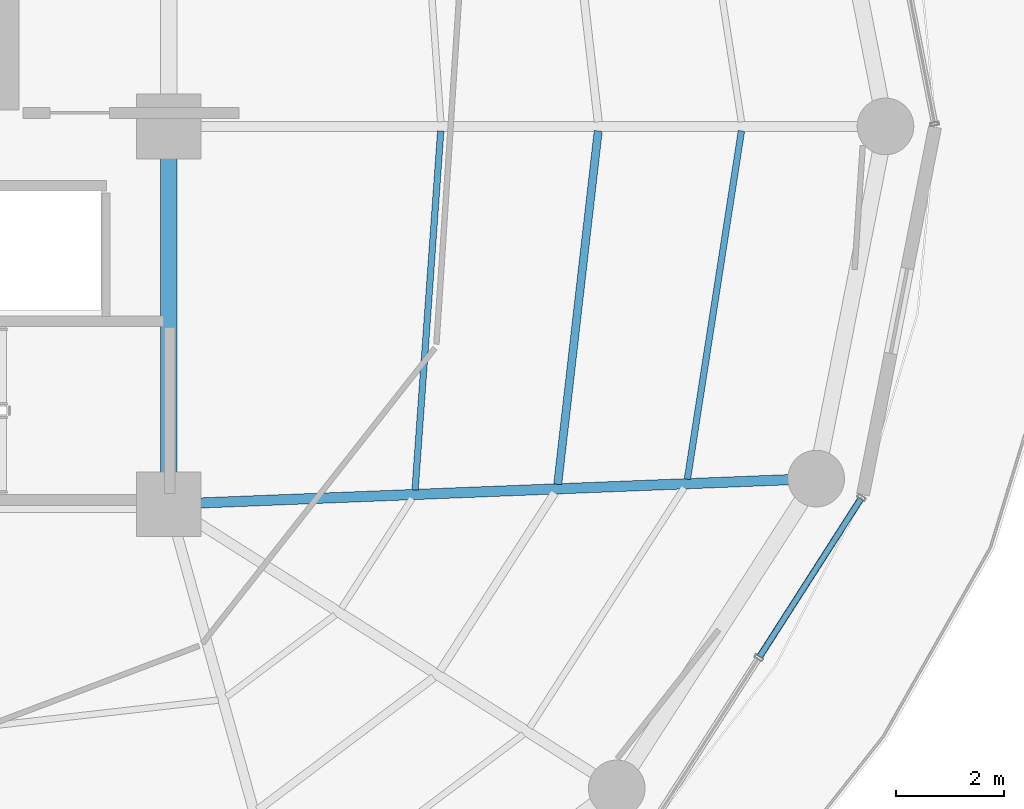
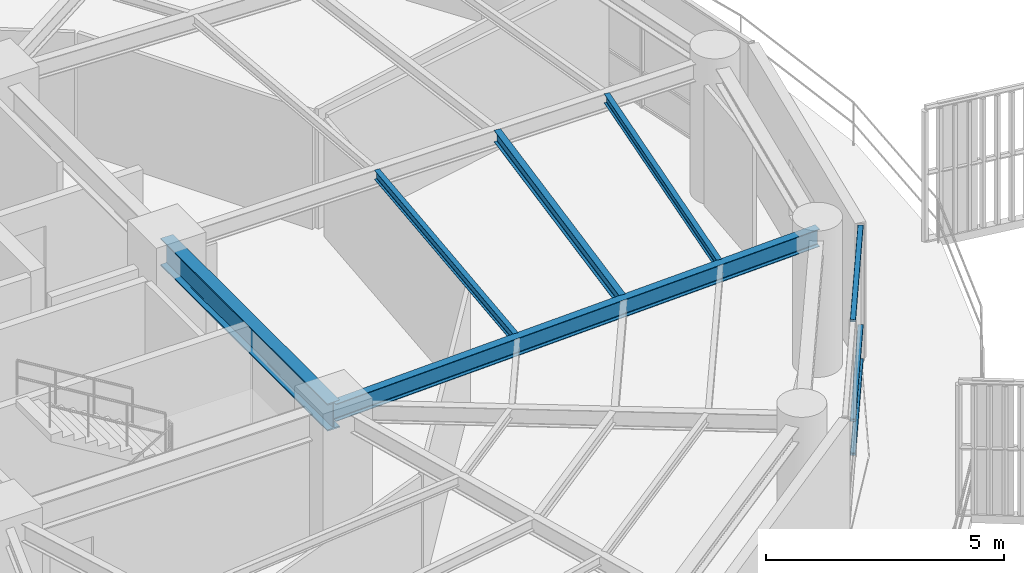
# One storey, part 12 of 31: 5 beams, 3 members, 1 element without a shape of its own.
"""IFC4 building model written with IfcOpenShell, lengths in metres."""

from ifc_helpers import new_model, si_unit, direction, frame, origin, origin_2d, place, context, subcontext, project, spatial, hollow_rectangle, i_section, extrude, material, layer, layer_set, material_profile, profile_set, type_object, element, aggregate, save


model = new_model("IFC4")

# Units and contexts
model_context = context("Model", 3, precision=1e-05, world=origin(), true_north=direction((0.0, 1.0)))
body_context = subcontext(model_context, "Body", "Model", "MODEL_VIEW")
ifc_project = project(units=[si_unit("LENGTHUNIT", "METRE"), si_unit("AREAUNIT", "SQUARE_METRE"), si_unit("VOLUMEUNIT", "CUBIC_METRE"), si_unit("PLANEANGLEUNIT", "RADIAN"), si_unit("MASSUNIT", "GRAM", prefix="KILO")], contexts=[model_context])

# Site, building, storey
site_placement = place(None, origin())
site = spatial("IfcSite", under=ifc_project, at=site_placement, CompositionType="ELEMENT")
building_placement = place(site_placement, origin())
building = spatial("IfcBuilding", under=site, at=building_placement, Name="Kelanora Arch Commons", CompositionType="ELEMENT")
storey_placement = place(building_placement, frame((0.0, 0.0, 196.949951171875)))
storey = spatial("IfcBuildingStorey", under=building, at=storey_placement, Name="L50", CompositionType="ELEMENT", Elevation=196.949951171875)

# Beams
ifc_material_1 = material(Name="Steel S355", Category="steel")
ifc_material_profile_1 = material_profile(ifc_material_1, i_section(OverallWidth=0.300048828125, OverallDepth=0.699951171875, WebThickness=0.01708984375, FlangeThickness=0.031982421875, FilletRadius=0.027099609375, at=origin_2d()), Name="HEB700")
ifc_profile_set_1 = profile_set([ifc_material_profile_1], Name="Steel S355")
beam_type_1 = type_object("IfcBeamType", Name="BM-CORE-HDR", PredefinedType="BEAM", material=ifc_profile_set_1)
beam_1_placement = place(storey_placement, frame((82.0, 51.0, 3.14013671875), z_axis=(0.0, 1.0, 0.0), x_axis=(-1.0, 0.0, 0.0)))
element("IfcBeam", 1, at=beam_1_placement, inside=storey, type_object=beam_type_1, Name="Core Header Beam 03 L50", PredefinedType="BEAM", context=body_context, shape_type="SweptSolid", body=[
    extrude(i_section(OverallWidth=0.300048828125, OverallDepth=0.699951171875, WebThickness=0.01708984375, FlangeThickness=0.031982421875, FilletRadius=0.027099609375, at=origin_2d()), origin(), (0.0, 0.0, 1.0), 7.0),
])
ifc_material_profile_2 = material_profile(ifc_material_1, i_section(OverallWidth=0.14990234375, OverallDepth=0.300048828125, WebThickness=0.007080078125, FlangeThickness=0.0107421875, FilletRadius=0.014892578125, at=origin_2d()), Name="IPE300")
ifc_profile_set_2 = profile_set([ifc_material_profile_2], Name="Steel S355")
beam_type_2 = type_object("IfcBeamType", Name="BM-JST-01", PredefinedType="JOIST", material=ifc_profile_set_2)
beam_2_placement = place(storey_placement, frame((89.207763671875, 51.368896484375, 3.340087890625), z_axis=(0.113891408177, 0.993493204377, 0.0), x_axis=(-0.993493204377, 0.113891408177, 0.0)))
element("IfcBeam", 2, at=beam_2_placement, inside=storey, type_object=beam_type_2, Name="Secondary Chord Joist BJB-34 L50", PredefinedType="JOIST", context=body_context, shape_type="SweptSolid", body=[
    extrude(i_section(OverallWidth=0.14990234375, OverallDepth=0.300048828125, WebThickness=0.007080078125, FlangeThickness=0.0107421875, FilletRadius=0.014892578125, at=origin_2d()), origin(), (0.0, 0.0, 1.0), 6.589599609375),
])
ifc_material_profile_3 = material_profile(ifc_material_1, i_section(OverallWidth=0.1201171875, OverallDepth=0.239990234375, WebThickness=0.006103515625, FlangeThickness=0.009765625, FilletRadius=0.014892578125, at=origin_2d()), Name="IPE240")
ifc_profile_set_3 = profile_set([ifc_material_profile_3], Name="Steel S355")
beam_type_3 = type_object("IfcBeamType", Name="BM-JST-02", PredefinedType="JOIST", material=ifc_profile_set_3)
beam_3_placement = place(storey_placement, frame((86.564697265625, 51.264892578125, 3.3701171875), z_axis=(0.07133032136, 0.997452748382, 0.0), x_axis=(-0.997452748382, 0.07133032136, 0.0)))
element("IfcBeam", 3, at=beam_3_placement, inside=storey, type_object=beam_type_3, Name="Secondary Chord Joist BJA-34 L50", PredefinedType="JOIST", context=body_context, shape_type="SweptSolid", body=[
    extrude(i_section(OverallWidth=0.1201171875, OverallDepth=0.239990234375, WebThickness=0.006103515625, FlangeThickness=0.009765625, FilletRadius=0.014892578125, at=origin_2d()), origin(), (0.0, 0.0, 1.0), 6.66748046875),
])
beam_4_placement = place(storey_placement, frame((91.6103515625, 51.46337890625, 3.3701171875), z_axis=(0.153256756152, 0.988186402808, 0.0), x_axis=(-0.988186402808, 0.153256756152, 0.0)))
element("IfcBeam", 4, at=beam_4_placement, inside=storey, type_object=beam_type_3, Name="Secondary Chord Joist BJC-34 L50", PredefinedType="JOIST", context=body_context, shape_type="SweptSolid", body=[
    extrude(i_section(OverallWidth=0.1201171875, OverallDepth=0.239990234375, WebThickness=0.006103515625, FlangeThickness=0.009765625, FilletRadius=0.014892578125, at=origin_2d()), origin(), (0.0, 0.0, 1.0), 6.52978515625),
])
ifc_material_profile_4 = material_profile(ifc_material_1, i_section(OverallWidth=0.18994140625, OverallDepth=0.449951171875, WebThickness=0.009521484375, FlangeThickness=0.0146484375, FilletRadius=0.02099609375, at=origin_2d()), Name="IPE450")
ifc_profile_set_4 = profile_set([ifc_material_profile_4], Name="Steel S355")
beam_type_4 = type_object("IfcBeamType", Name="BM-RAD-Z4", PredefinedType="BEAM", material=ifc_profile_set_4)
beam_5_placement = place(storey_placement, frame((82.0, 51.0, 3.26513671875), z_axis=(0.999219142585, 0.03951082246, 0.0), x_axis=(-0.03951082246, 0.999219142585, 0.0)))
element("IfcBeam", 5, at=beam_5_placement, inside=storey, type_object=beam_type_4, Name="Radial Floor Girder BR-34 L50", PredefinedType="BEAM", context=body_context, shape_type="SweptSolid", body=[
    extrude(i_section(OverallWidth=0.18994140625, OverallDepth=0.449951171875, WebThickness=0.009521484375, FlangeThickness=0.0146484375, FilletRadius=0.02099609375, at=origin_2d()), origin(), (0.0, 0.0, 1.0), 12.005859375),
])

# Curtain wall, members
ifc_material_2 = material(Name="Terracotta ceramic-fritted low-E glass and aluminium", Category="masonry")
ifc_layer = layer(ifc_material_2, 0.175048828125)
ifc_layer_set = layer_set([ifc_layer], Name="Terracotta ceramic-fritted low-E glass and aluminium")
curtain_wall_type = type_object("IfcCurtainWallType", Name="CW-SYS-02", PredefinedType="NOTDEFINED", material=ifc_layer_set)
curtain_wall_placement = place(storey_placement, origin())
curtain_wall = element("IfcCurtainWall", 6, at=curtain_wall_placement, inside=storey, type_object=curtain_wall_type, Name="Unitised Curtain Wall L50-B16", PredefinedType="NOTDEFINED")
ifc_material_3 = material(Name="Powder-coated aluminium terracotta", Category="masonry")
ifc_material_profile_5 = material_profile(ifc_material_3, hollow_rectangle(XDim=0.1201171875, YDim=0.06005859375, WallThickness=0.0048828125, InnerFilletRadius=0.0048828125, OuterFilletRadius=0.010009765625, at=origin_2d()), Name="CWT120x60")
ifc_profile_set_5 = profile_set([ifc_material_profile_5], Name="Powder-coated aluminium terracotta")
member_type = type_object("IfcMemberType", Name="CWT-STD", PredefinedType="USERDEFINED", material=ifc_profile_set_5)
member_1_placement = place(storey_placement, frame((92.949951171875, 48.17724609375, 0.030029296875), z_axis=(0.539579095642, 0.84193491408, 0.0), x_axis=(-0.84193491408, 0.539579095642, 0.0)))
member_1 = element("IfcMember", 7, at=member_1_placement, type_object=member_type, Name="CW-02 transom 2.1", ObjectType="TRANSOM", PredefinedType="USERDEFINED", context=body_context, shape_type="SweptSolid", body=[
    extrude(hollow_rectangle(XDim=0.1201171875, YDim=0.06005859375, WallThickness=0.0048828125, InnerFilletRadius=0.0048828125, OuterFilletRadius=0.010009765625, at=origin_2d()), origin(), (0.0, 0.0, 1.0), 3.46728515625),
])
member_2_placement = place(storey_placement, frame((92.949951171875, 48.17724609375, 0.900146484375), z_axis=(0.539579095642, 0.84193491408, 0.0), x_axis=(-0.84193491408, 0.539579095642, 0.0)))
member_2 = element("IfcMember", 8, at=member_2_placement, type_object=member_type, Name="CW-02 transom 2.2", ObjectType="TRANSOM", PredefinedType="USERDEFINED", context=body_context, shape_type="SweptSolid", body=[
    extrude(hollow_rectangle(XDim=0.1201171875, YDim=0.06005859375, WallThickness=0.0048828125, InnerFilletRadius=0.0048828125, OuterFilletRadius=0.010009765625, at=origin_2d()), origin(), (0.0, 0.0, 1.0), 3.46728515625),
])
member_3_placement = place(storey_placement, frame((92.949951171875, 48.17724609375, 3.445068359375), z_axis=(0.539579095642, 0.84193491408, 0.0), x_axis=(-0.84193491408, 0.539579095642, 0.0)))
member_3 = element("IfcMember", 9, at=member_3_placement, type_object=member_type, Name="CW-02 transom 2.3", ObjectType="TRANSOM", PredefinedType="USERDEFINED", context=body_context, shape_type="SweptSolid", body=[
    extrude(hollow_rectangle(XDim=0.1201171875, YDim=0.06005859375, WallThickness=0.0048828125, InnerFilletRadius=0.0048828125, OuterFilletRadius=0.010009765625, at=origin_2d()), origin(), (0.0, 0.0, 1.0), 3.46728515625),
])
aggregate(curtain_wall, [member_1, member_2, member_3])

save(model, "model.ifc")
